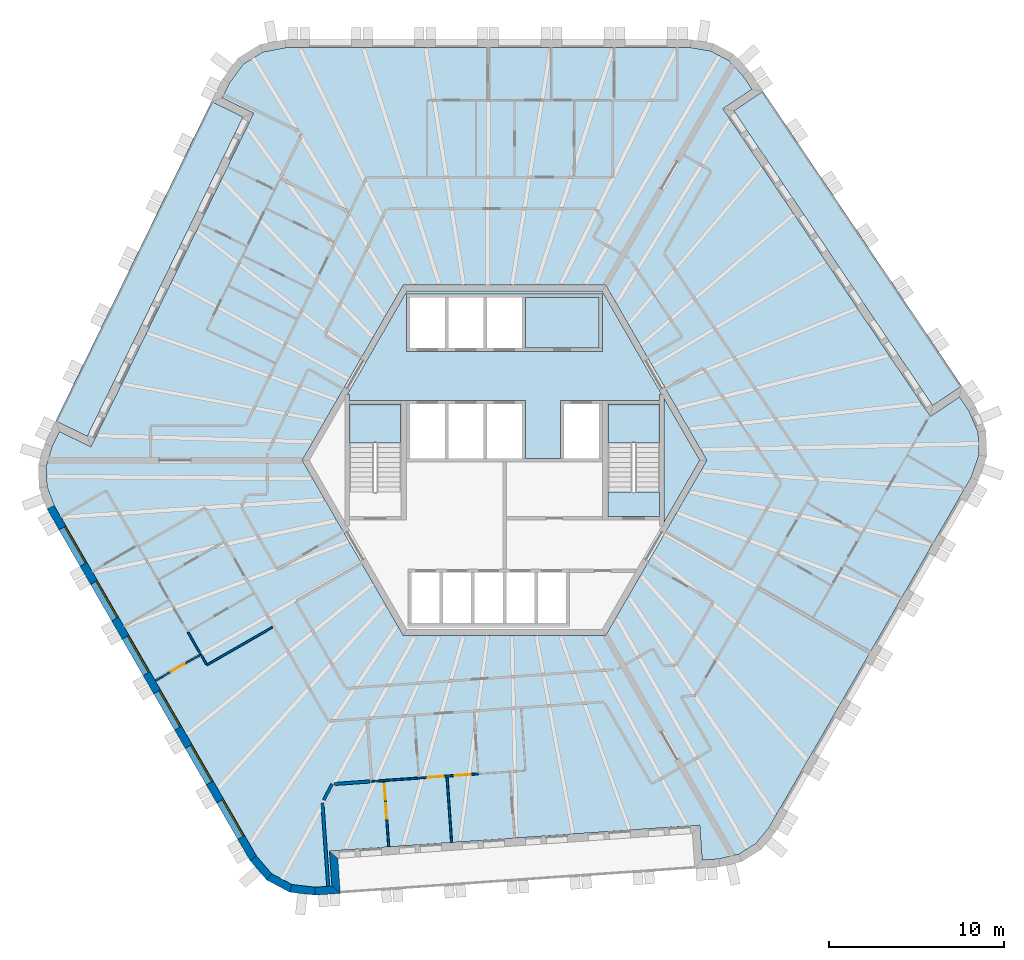
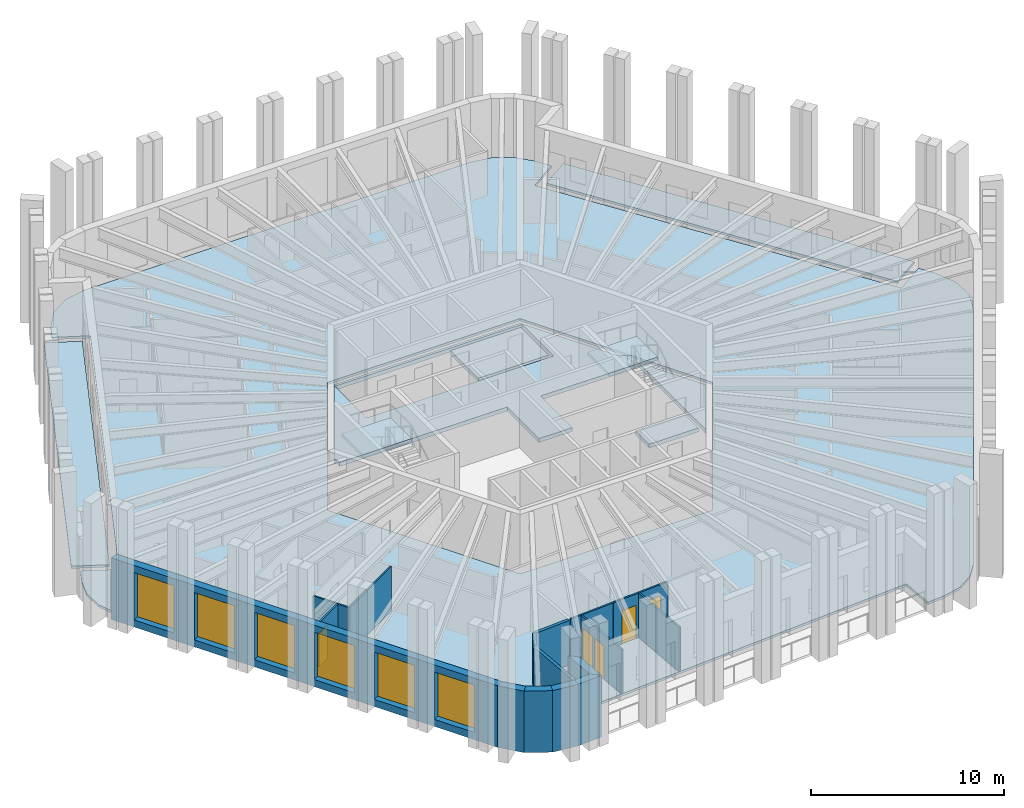
# One storey, part 2 of 12: 18 walls, 9 slabs, 6 windows, 5 doors, 11 openings, 2 elements without a shape of their own.
"""IFC4 building model written with IfcOpenShell, lengths in metres."""

from ifc_helpers import new_model, si_unit, direction, frame, frame_2d, origin, place, context, subcontext, project, spatial, polyline, rectangle, outline, extrude, material, layer, layer_set, type_object, element, fill, aggregate, save


model = new_model("IFC4")

# Units and contexts
model_context = context("Model", 3, precision=1e-05, world=origin(), true_north=direction((0.0, 1.0)))
body_context = subcontext(model_context, "Body", "Model", "MODEL_VIEW")
ifc_project = project(units=[si_unit("LENGTHUNIT", "METRE"), si_unit("AREAUNIT", "SQUARE_METRE"), si_unit("VOLUMEUNIT", "CUBIC_METRE"), si_unit("PLANEANGLEUNIT", "RADIAN"), si_unit("MASSUNIT", "GRAM", prefix="KILO")], contexts=[model_context])

# Site, building, storey
site_placement = place(None, origin())
site = spatial("IfcSite", under=ifc_project, at=site_placement, CompositionType="ELEMENT")
building_placement = place(site_placement, origin())
building = spatial("IfcBuilding", under=site, at=building_placement, Name="Tarnside Tower", CompositionType="ELEMENT")
storey_placement = place(building_placement, frame((0.0, 0.0, 361.199951171875)))
storey = spatial("IfcBuildingStorey", under=building, at=storey_placement, Name="L87", CompositionType="ELEMENT", Elevation=361.199951171875)

# Slabs
ifc_material_1 = material(Name="Concrete C35/45", Category="concrete")
ifc_layer_1 = layer(ifc_material_1, 0.14990234375)
ifc_layer_set_1 = layer_set([ifc_layer_1], Name="Composite floor slab 150")
slab_type_1 = type_object("IfcSlabType", Name="Composite floor slab 150", PredefinedType="FLOOR", material=ifc_layer_set_1)
slab_1_placement = place(storey_placement, frame((0.0, 0.0, -0.14990234375)))
element("IfcSlab", 1, at=slab_1_placement, inside=storey, type_object=slab_type_1, Name="Floor slab L87", PredefinedType="FLOOR", context=body_context, shape_type="SweptSolid", body=[
    extrude(outline(polyline([(11.769287109375, 23.3603515625), (12.785400390625, 22.8203125), (13.58740234375, 21.969970703125), (14.12255859375, 21.1767578125), (12.46435546875, 20.058349609375), (24.30908203125, 2.498046875), (25.967041015625, 3.616455078125), (26.50048828125, 2.82568359375), (27.02880859375, 1.6005859375), (27.07470703125, 0.288818359375), (26.633056640625, -0.97021484375), (15.0869140625, -20.968505859375), (14.345947265625, -21.872802734375), (13.370361328125, -22.482421875), (12.232666015625, -22.752197265625), (11.2783203125, -22.81884765625), (11.138916015625, -20.82373046875), (-9.9912109375, -22.30126953125), (-9.8515625, -24.29638671875), (-10.80322265625, -24.36279296875), (-12.12841796875, -24.2080078125), (-13.287353515625, -23.591796875), (-14.15673828125, -22.579833984375), (-25.702880859375, -2.581298828125), (-26.115478515625, -1.487548828125), (-26.155517578125, -0.337890625), (-25.8203125, 0.7822265625), (-25.40087890625, 1.64208984375), (-23.603271484375, 0.765380859375), (-14.31787109375, 19.80322265625), (-16.115478515625, 20.679931640625), (-15.697265625, 21.537353515625), (-14.900634765625, 22.607421875), (-13.787353515625, 23.302978515625), (-12.476318359375, 23.550048828125), (10.61572265625, 23.550048828125), (11.769287109375, 23.3603515625)]), holes=[polyline([(-11.547119140625, 0.0), (-5.7734375, -10.0), (5.7734375, -10.0), (11.547119140625, 0.0), (5.7734375, 10.0), (-5.7734375, 10.0), (-11.547119140625, 0.0)])]), origin(), (0.0, 0.0, 1.0), 0.14990234375),
])
ifc_material_2 = material(Name="Concrete C40/50", Category="concrete")
ifc_layer_2 = layer(ifc_material_2, 0.25)
ifc_layer_set_2 = layer_set([ifc_layer_2], Name="Core slab C40/50")
slab_type_2 = type_object("IfcSlabType", Name="Core slab C40/50", PredefinedType="FLOOR", material=ifc_layer_set_2)
slab_2_placement = place(storey_placement, frame((0.0, 0.0, -0.25)))
element("IfcSlab", 2, at=slab_2_placement, inside=storey, type_object=slab_type_2, Name="L87 core floor slab 1", PredefinedType="FLOOR", context=body_context, shape_type="SweptSolid", body=[
    extrude(outline(polyline([(5.5712890625, 9.64990234375), (8.97509765625, 3.7548828125), (8.85009765625, 3.7548828125), (8.85009765625, 3.39990234375), (5.89990234375, 3.39990234375), (5.60009765625, 3.39990234375), (3.39990234375, 3.39990234375), (3.199951171875, 3.39990234375), (3.199951171875, 0.10009765625), (1.199951171875, 0.10009765625), (1.199951171875, 3.39990234375), (1.0, 3.39990234375), (-5.60009765625, 3.39990234375), (-5.89990234375, 3.39990234375), (-8.85009765625, 3.39990234375), (-8.85009765625, 3.7548828125), (-8.97509765625, 3.7548828125), (-5.5712890625, 9.64990234375), (5.5712890625, 9.64990234375)]), holes=[polyline([(-5.60009765625, 6.199951171875), (5.60009765625, 6.199951171875), (5.60009765625, 6.39990234375), (5.60009765625, 9.300048828125), (5.60009765625, 9.5), (-5.60009765625, 9.5), (-5.60009765625, 9.300048828125), (-5.60009765625, 6.39990234375), (-5.60009765625, 6.199951171875)])]), origin(), (0.0, 0.0, 1.0), 0.25),
])
slab_3_placement = place(storey_placement, frame((0.0, 0.0, -0.25)))
element("IfcSlab", 3, at=slab_3_placement, inside=storey, type_object=slab_type_2, Name="L87 core floor slab 4", PredefinedType="FLOOR", context=body_context, shape_type="SweptSolid", body=[
    extrude(outline(polyline([(9.10009765625, 3.538330078125), (11.142822265625, 0.0), (9.10009765625, -3.538330078125), (9.10009765625, 3.538330078125)])), origin(), (0.0, 0.0, 1.0), 0.25),
])
slab_4_placement = place(storey_placement, frame((0.0, 0.0, -0.25)))
element("IfcSlab", 4, at=slab_4_placement, inside=storey, type_object=slab_type_2, Name="L87 core floor slab 6", PredefinedType="FLOOR", context=body_context, shape_type="SweptSolid", body=[
    extrude(outline(polyline([(5.89990234375, -1.800048828125), (8.85009765625, -1.800048828125), (8.85009765625, -3.199951171875), (5.89990234375, -3.199951171875), (5.89990234375, -1.800048828125)])), origin(), (0.0, 0.0, 1.0), 0.25),
])
slab_5_placement = place(storey_placement, frame((0.0, 0.0, -0.25)))
element("IfcSlab", 5, at=slab_5_placement, inside=storey, type_object=slab_type_2, Name="L87 core floor slab 7", PredefinedType="FLOOR", context=body_context, shape_type="SweptSolid", body=[
    extrude(outline(polyline([(5.39990234375, 6.39990234375), (1.199951171875, 6.39990234375), (1.199951171875, 9.300048828125), (5.39990234375, 9.300048828125), (5.39990234375, 6.39990234375)])), origin(), (0.0, 0.0, 1.0), 0.25),
])
ifc_material_3 = material(Name="Timber decking", Category="wood")
ifc_layer_3 = layer(ifc_material_3, 0.0400390625)
ifc_material_4 = material(Name="Concrete C60/75 precast", Category="concrete")
ifc_layer_4 = layer(ifc_material_4, 0.110107421875)
ifc_layer_set_3 = layer_set([ifc_layer_3, ifc_layer_4], Name="Loggia deck 150")
slab_type_3 = type_object("IfcSlabType", Name="Loggia deck 150", PredefinedType="FLOOR", material=ifc_layer_set_3)
slab_6_placement = place(storey_placement, frame((0.0, 0.0, -0.14990234375)))
element("IfcSlab", 6, at=slab_6_placement, inside=storey, type_object=slab_type_3, Name="Loggia deck L87 F2", PredefinedType="FLOOR", context=body_context, shape_type="SweptSolid", body=[
    extrude(outline(polyline([(-14.919677734375, 19.595947265625), (-23.810546875, 1.366943359375), (-25.608154296875, 2.24365234375), (-16.71728515625, 20.47265625), (-14.919677734375, 19.595947265625)])), origin(), (0.0, 0.0, 1.0), 0.14990234375),
])
slab_7_placement = place(storey_placement, frame((0.0, 0.0, -0.14990234375)))
element("IfcSlab", 7, at=slab_7_placement, inside=storey, type_object=slab_type_3, Name="Loggia deck L87 F6", PredefinedType="FLOOR", context=body_context, shape_type="SweptSolid", body=[
    extrude(outline(polyline([(24.430419921875, 3.122802734375), (13.089111328125, 19.93701171875), (14.7470703125, 21.055419921875), (26.088623046875, 4.2412109375), (24.430419921875, 3.122802734375)])), origin(), (0.0, 0.0, 1.0), 0.14990234375),
])

# Stair, slab
stair_type = type_object("IfcStairType", Name="Exit stair 1400 clear", PredefinedType="HALF_TURN_STAIR", material=ifc_material_2)
stair_1_placement = place(storey_placement, origin())
stair_1 = element("IfcStair", 8, at=stair_1_placement, inside=storey, type_object=stair_type, Name="L87 Exit stair 1", PredefinedType="HALF_TURN_STAIR")
ifc_layer_5 = layer(ifc_material_2, 0.199951171875)
ifc_layer_set_4 = layer_set([ifc_layer_5], Name="Stair landing 200 C40/50")
slab_type_4 = type_object("IfcSlabType", Name="Stair landing 200 C40/50", PredefinedType="LANDING", material=ifc_layer_set_4)
slab_8_placement = place(storey_placement, frame((0.0, 0.0, 1.75)))
slab_8 = element("IfcSlab", 9, at=slab_8_placement, type_object=slab_type_4, Name="ST1 landing 1", PredefinedType="LANDING", context=body_context, shape_type="SweptSolid", body=[
    extrude(outline(polyline([(8.85009765625, 1.0), (8.85009765625, 3.199951171875), (5.89990234375, 3.199951171875), (5.89990234375, 1.0), (8.85009765625, 1.0)])), origin(), (0.0, 0.0, 1.0), 0.199951171875),
])
aggregate(stair_1, [slab_8])

stair_2_placement = place(storey_placement, origin())
stair_2 = element("IfcStair", 10, at=stair_2_placement, inside=storey, type_object=stair_type, Name="L87 Exit stair 2", PredefinedType="HALF_TURN_STAIR")
slab_9_placement = place(storey_placement, frame((0.0, 0.0, 1.75)))
slab_9 = element("IfcSlab", 11, at=slab_9_placement, type_object=slab_type_4, Name="ST2 landing 1", PredefinedType="LANDING", context=body_context, shape_type="SweptSolid", body=[
    extrude(outline(polyline([(-5.89990234375, 1.0), (-5.89990234375, 3.199951171875), (-8.85009765625, 3.199951171875), (-8.85009765625, 1.0), (-5.89990234375, 1.0)])), origin(), (0.0, 0.0, 1.0), 0.199951171875),
])
aggregate(stair_2, [slab_9])

# Walls
ifc_material_5 = material(Name="Gypsum board partition on steel studs", Category="steel")
ifc_layer_6 = layer(ifc_material_5, 0.10009765625)
ifc_layer_set_5 = layer_set([ifc_layer_6], Name="Bathroom wall 100")
wall_type_1 = type_object("IfcWallType", Name="Bathroom wall 100", PredefinedType="PARTITIONING", material=ifc_layer_set_5)
wall_1_placement = place(storey_placement, frame((-13.238525390625, -9.52001953125, 0.0), z_axis=(0.0, 0.0, 1.0), x_axis=(-0.866018262327, -0.500012369163, 0.0)))
element("IfcWall", 12, at=wall_1_placement, inside=storey, type_object=wall_type_1, Name="Bathroom wall 28101", PredefinedType="PARTITIONING", context=body_context, shape_type="SweptSolid", body=[
    extrude(rectangle(XDim=4.3251953125, YDim=0.10009765625, at=frame_2d((2.16259765625, 0.0))), origin(), (0.0, 0.0, 1.0), 2.820068359375),
])
wall_2_placement = place(storey_placement, frame((-17.00927734375, -11.63916015625, 0.0), z_axis=(0.0, 0.0, 1.0), x_axis=(-0.499962526042, 0.866047038303, 0.0)))
element("IfcWall", 13, at=wall_2_placement, inside=storey, type_object=wall_type_1, Name="Bathroom wall 28102", PredefinedType="PARTITIONING", context=body_context, shape_type="SweptSolid", body=[
    extrude(rectangle(XDim=0.6455078125, YDim=0.10009765625, at=frame_2d((0.32275390625, 0.0))), origin(), (0.0, 0.0, 1.0), 2.820068359375),
])
wall_3_placement = place(storey_placement, frame((-17.330078125, -11.08349609375, 0.0), z_axis=(0.0, 0.0, 1.0), x_axis=(-0.499920521767, 0.866071285701, 0.0)))
element("IfcWall", 14, at=wall_3_placement, inside=storey, type_object=wall_type_1, Name="Bathroom wall 28114", PredefinedType="PARTITIONING", context=body_context, shape_type="SweptSolid", body=[
    extrude(rectangle(XDim=1.458251953125, YDim=0.10009765625, at=frame_2d((0.72900390625, 0.0))), origin(), (0.0, 0.0, 1.0), 2.820068359375),
])
wall_4_placement = place(storey_placement, frame((-7.584228515625, -18.32373046875, 0.0), z_axis=(0.0, 0.0, 1.0), x_axis=(0.997553473746, 0.06990756051, 0.0)))
element("IfcWall", 15, at=wall_4_placement, inside=storey, type_object=wall_type_1, Name="Bathroom wall 28122", PredefinedType="PARTITIONING", context=body_context, shape_type="SweptSolid", body=[
    extrude(rectangle(XDim=0.71240234375, YDim=0.10009765625, at=frame_2d((0.356201171875, 0.0))), origin(), (0.0, 0.0, 1.0), 2.820068359375),
])
wall_5_placement = place(storey_placement, frame((-6.87353515625, -18.27392578125, 0.0), z_axis=(0.0, 0.0, 1.0), x_axis=(0.997562294187, 0.069781582212, 0.0)))
element("IfcWall", 16, at=wall_5_placement, inside=storey, type_object=wall_type_1, Name="Bathroom wall 28123", PredefinedType="PARTITIONING", context=body_context, shape_type="SweptSolid", body=[
    extrude(rectangle(XDim=1.941650390625, YDim=0.10009765625, at=frame_2d((0.970703125, 0.0))), origin(), (0.0, 0.0, 1.0), 2.820068359375),
])
ifc_layer_7 = layer(ifc_material_5, 0.179931640625)
ifc_layer_set_6 = layer_set([ifc_layer_7], Name="Demising wall 180 EI 60")
wall_type_2 = type_object("IfcWallType", Name="Demising wall 180 EI 60", PredefinedType="PARTITIONING", material=ifc_layer_set_6)
wall_6_placement = place(storey_placement, frame((-10.060302734375, -24.31103515625, 0.0), z_axis=(0.0, 0.0, 1.0), x_axis=(-0.069731958306, 0.997565764244, 0.0)))
element("IfcWall", 17, at=wall_6_placement, inside=storey, type_object=wall_type_2, Name="Demising wall 28104", PredefinedType="PARTITIONING", context=body_context, shape_type="SweptSolid", body=[
    extrude(rectangle(XDim=4.775634765625, YDim=0.179931640625, at=frame_2d((2.3876953125, 0.0))), origin(), (0.0, 0.0, 1.0), 2.820068359375),
])
wall_7_placement = place(storey_placement, frame((-10.313720703125, -19.397216796875, 0.0), z_axis=(0.0, 0.0, 1.0), x_axis=(0.469550580753, 0.882905573725, 0.0)))
element("IfcWall", 18, at=wall_7_placement, inside=storey, type_object=wall_type_2, Name="Demising wall 28105", PredefinedType="PARTITIONING", context=body_context, shape_type="SweptSolid", body=[
    extrude(rectangle(XDim=1.038330078125, YDim=0.179931640625, at=frame_2d((0.51904296875, 0.0))), origin(), (0.0, 0.0, 1.0), 2.820068359375),
])
wall_8_placement = place(storey_placement, frame((-9.720458984375, -18.47314453125, 0.0), z_axis=(0.0, 0.0, 1.0), x_axis=(0.997561859931, 0.069787789844, 0.0)))
element("IfcWall", 19, at=wall_8_placement, inside=storey, type_object=wall_type_2, Name="Demising wall 28106", PredefinedType="PARTITIONING", context=body_context, shape_type="SweptSolid", body=[
    extrude(rectangle(XDim=2.05712890625, YDim=0.179931640625, at=frame_2d((1.028564453125, 0.0))), origin(), (0.0, 0.0, 1.0), 2.820068359375),
])
ifc_material_6 = material(Name="Dark zinc cladding")
ifc_layer_8 = layer(ifc_material_6, 0.10205078125)
ifc_layer_9 = layer(ifc_material_4, 0.248046875)
ifc_material_7 = material(Name="Mineral wool insulation")
ifc_layer_10 = layer(ifc_material_7, 0.10009765625)
ifc_layer_set_7 = layer_set([ifc_layer_8, ifc_layer_9, ifc_layer_10], Name="Loggia wall 450 zinc faced")
wall_type_3 = type_object("IfcWallType", Name="Loggia wall 450 zinc faced", PredefinedType="SOLIDWALL", material=ifc_layer_set_7)
wall_9_placement = place(storey_placement, frame((-10.80859375, -24.5888671875, -0.14990234375), z_axis=(0.0, 0.0, 1.0), x_axis=(0.997562933087, 0.069772448216, 0.0)))
element("IfcWall", 20, at=wall_9_placement, inside=storey, type_object=wall_type_3, Name="Tube wall L87 F4 stub 16", PredefinedType="SOLIDWALL", context=body_context, shape_type="SweptSolid", body=[
    extrude(outline(polyline([(-0.02099609375, -0.22509765625), (1.42529296875, -0.22509765625), (0.97509765625, 0.22509765625), (0.02099609375, 0.22509765625), (-0.02099609375, -0.22509765625)])), origin(), (0.0, 0.0, 1.0), 3.89990234375),
])
wall_10_placement = place(storey_placement, frame((-9.611328125, -24.505126953125, -0.14990234375), z_axis=(0.0, 0.0, 1.0), x_axis=(-0.069824268692, 0.99755930726, 0.0)))
element("IfcWall", 21, at=wall_10_placement, inside=storey, type_object=wall_type_3, Name="Tube wall L87 F4 return 17", PredefinedType="SOLIDWALL", context=body_context, shape_type="SweptSolid", body=[
    extrude(outline(polyline([(-0.224853515625, -0.22509765625), (1.77490234375, -0.22509765625), (2.22509765625, 0.22509765625), (0.224853515625, 0.22509765625), (-0.224853515625, -0.22509765625)])), origin(), (0.0, 0.0, 1.0), 3.89990234375),
])

# Wall, opening, door
ifc_layer_11 = layer(ifc_material_5, 0.10009765625)
ifc_layer_set_8 = layer_set([ifc_layer_11], Name="Partition 100")
wall_type_4 = type_object("IfcWallType", Name="Partition 100", PredefinedType="PARTITIONING", material=ifc_layer_set_8)
wall_11_placement = place(storey_placement, frame((-17.374267578125, -11.106689453125, 0.0), z_axis=(0.0, 0.0, 1.0), x_axis=(-0.866024349092, -0.500001826776, 0.0)))
wall_11 = element("IfcWall", 22, at=wall_11_placement, inside=storey, type_object=wall_type_4, Name="Partition wall 28100", PredefinedType="PARTITIONING", context=body_context, shape_type="SweptSolid", body=[
    extrude(rectangle(XDim=2.9501953125, YDim=0.10009765625, at=frame_2d((1.47509765625, 0.0))), origin(), (0.0, 0.0, 1.0), 2.820068359375),
])
opening_1_placement = place(wall_11_placement, frame((1.02490234375, 0.0, 0.0)))
opening_1 = element("IfcOpeningElement", 23, at=opening_1_placement, cuts=wall_11, Name="Opening D-I1", PredefinedType="OPENING", context=body_context, shape_type="SweptSolid", body=[
    extrude(rectangle(XDim=0.89990234375, YDim=2.10009765625, at=frame_2d((0.449951171875, 1.050048828125))), frame((0.0, 0.06005859375, 0.0), z_axis=(0.0, -1.0, 0.0), x_axis=(1.0, 0.0, 0.0)), (0.0, 0.0, 1.0), 0.1201171875),
])
ifc_material_8 = material(Name="Timber door leaf", Category="wood")
door_type = type_object("IfcDoorType", Name="Internal door 900", OperationType="NOTDEFINED", PredefinedType="DOOR", material=ifc_material_8)
door_1_placement = place(opening_1_placement, origin())
door_1 = element("IfcDoor", 24, at=door_1_placement, inside=storey, type_object=door_type, Name="Internal door 28062", OperationType="SINGLE_SWING_LEFT", OverallHeight=2.10009765625, OverallWidth=0.89990234375, PredefinedType="DOOR", context=body_context, shape_type="SweptSolid", body=[
    extrude(rectangle(XDim=0.89990234375, YDim=2.10009765625, at=frame_2d((0.449951171875, 1.050048828125))), frame((0.0, 0.02490234375, 0.0), z_axis=(0.0, -1.0, 0.0), x_axis=(1.0, 0.0, 0.0)), (0.0, 0.0, 1.0), 0.050048828125),
])
fill(opening_1, door_1)

# Wall, openings, doors
wall_12_placement = place(storey_placement, frame((-4.890869140625, -18.13525390625, 0.0), z_axis=(0.0, 0.0, 1.0), x_axis=(0.997567103819, 0.069712792071, 0.0)))
wall_12 = element("IfcWall", 25, at=wall_12_placement, inside=storey, type_object=wall_type_4, Name="Partition wall 28119", PredefinedType="PARTITIONING", context=body_context, shape_type="SweptSolid", body=[
    extrude(rectangle(XDim=3.404052734375, YDim=0.10009765625, at=frame_2d((1.7021484375, 0.0))), origin(), (0.0, 0.0, 1.0), 2.820068359375),
])
opening_2_placement = place(wall_12_placement, frame((0.51220703125, 0.0, 0.0)))
opening_2 = element("IfcOpeningElement", 26, at=opening_2_placement, cuts=wall_12, Name="Opening D-I1", PredefinedType="OPENING", context=body_context, shape_type="SweptSolid", body=[
    extrude(rectangle(XDim=0.89990234375, YDim=2.10009765625, at=frame_2d((0.449951171875, 1.050048828125))), frame((0.0, 0.06005859375, 0.0), z_axis=(0.0, -1.0, 0.0), x_axis=(1.0, 0.0, 0.0)), (0.0, 0.0, 1.0), 0.1201171875),
])
opening_3_placement = place(wall_12_placement, frame((2.05712890625, 0.0, 0.0)))
opening_3 = element("IfcOpeningElement", 27, at=opening_3_placement, cuts=wall_12, Name="Opening D-I1", PredefinedType="OPENING", context=body_context, shape_type="SweptSolid", body=[
    extrude(rectangle(XDim=0.89990234375, YDim=2.10009765625, at=frame_2d((0.449951171875, 1.050048828125))), frame((0.0, 0.06005859375, 0.0), z_axis=(0.0, -1.0, 0.0), x_axis=(1.0, 0.0, 0.0)), (0.0, 0.0, 1.0), 0.1201171875),
])
door_2_placement = place(opening_2_placement, origin())
door_2 = element("IfcDoor", 28, at=door_2_placement, inside=storey, type_object=door_type, Name="Internal door 28043", OperationType="SINGLE_SWING_LEFT", OverallHeight=2.10009765625, OverallWidth=0.89990234375, PredefinedType="DOOR", context=body_context, shape_type="SweptSolid", body=[
    extrude(rectangle(XDim=0.89990234375, YDim=2.10009765625, at=frame_2d((0.449951171875, 1.050048828125))), frame((0.0, 0.02490234375, 0.0), z_axis=(0.0, -1.0, 0.0), x_axis=(1.0, 0.0, 0.0)), (0.0, 0.0, 1.0), 0.050048828125),
])
fill(opening_2, door_2)
door_3_placement = place(opening_3_placement, origin())
door_3 = element("IfcDoor", 29, at=door_3_placement, inside=storey, type_object=door_type, Name="Internal door 28050", OperationType="SINGLE_SWING_LEFT", OverallHeight=2.10009765625, OverallWidth=0.89990234375, PredefinedType="DOOR", context=body_context, shape_type="SweptSolid", body=[
    extrude(rectangle(XDim=0.89990234375, YDim=2.10009765625, at=frame_2d((0.449951171875, 1.050048828125))), frame((0.0, 0.02490234375, 0.0), z_axis=(0.0, -1.0, 0.0), x_axis=(1.0, 0.0, 0.0)), (0.0, 0.0, 1.0), 0.050048828125),
])
fill(opening_3, door_3)

wall_13_placement = place(storey_placement, frame((-6.608642578125, -22.064697265625, 0.0), z_axis=(0.0, 0.0, 1.0), x_axis=(-0.069729351823, 0.997565946439, 0.0)))
wall_13 = element("IfcWall", 30, at=wall_13_placement, inside=storey, type_object=wall_type_4, Name="Partition wall 28124", PredefinedType="PARTITIONING", context=body_context, shape_type="SweptSolid", body=[
    extrude(rectangle(XDim=3.749755859375, YDim=0.10009765625, at=frame_2d((1.875, 0.0))), origin(), (0.0, 0.0, 1.0), 2.820068359375),
])
opening_4_placement = place(wall_13_placement, frame((2.699951171875, 0.0, 0.0)))
opening_4 = element("IfcOpeningElement", 31, at=opening_4_placement, cuts=wall_13, Name="Opening D-I1", PredefinedType="OPENING", context=body_context, shape_type="SweptSolid", body=[
    extrude(rectangle(XDim=0.89990234375, YDim=2.10009765625, at=frame_2d((0.449951171875, 1.050048828125))), frame((0.0, 0.06005859375, 0.0), z_axis=(0.0, -1.0, 0.0), x_axis=(1.0, 0.0, 0.0)), (0.0, 0.0, 1.0), 0.1201171875),
])
opening_5_placement = place(wall_13_placement, frame((1.60009765625, 0.0, 0.0)))
opening_5 = element("IfcOpeningElement", 32, at=opening_5_placement, cuts=wall_13, Name="Opening D-I1", PredefinedType="OPENING", context=body_context, shape_type="SweptSolid", body=[
    extrude(rectangle(XDim=0.89990234375, YDim=2.10009765625, at=frame_2d((0.449951171875, 1.050048828125))), frame((0.0, 0.06005859375, 0.0), z_axis=(0.0, -1.0, 0.0), x_axis=(1.0, 0.0, 0.0)), (0.0, 0.0, 1.0), 0.1201171875),
])
door_4_placement = place(opening_4_placement, origin())
door_4 = element("IfcDoor", 33, at=door_4_placement, inside=storey, type_object=door_type, Name="Internal door 28046", OperationType="SINGLE_SWING_RIGHT", OverallHeight=2.10009765625, OverallWidth=0.89990234375, PredefinedType="DOOR", context=body_context, shape_type="SweptSolid", body=[
    extrude(rectangle(XDim=0.89990234375, YDim=2.10009765625, at=frame_2d((0.449951171875, 1.050048828125))), frame((0.0, 0.02490234375, 0.0), z_axis=(0.0, -1.0, 0.0), x_axis=(1.0, 0.0, 0.0)), (0.0, 0.0, 1.0), 0.050048828125),
])
fill(opening_4, door_4)
door_5_placement = place(opening_5_placement, origin())
door_5 = element("IfcDoor", 34, at=door_5_placement, inside=storey, type_object=door_type, Name="Internal door 28049", OperationType="SINGLE_SWING_LEFT", OverallHeight=2.10009765625, OverallWidth=0.89990234375, PredefinedType="DOOR", context=body_context, shape_type="SweptSolid", body=[
    extrude(rectangle(XDim=0.89990234375, YDim=2.10009765625, at=frame_2d((0.449951171875, 1.050048828125))), frame((0.0, 0.02490234375, 0.0), z_axis=(0.0, -1.0, 0.0), x_axis=(1.0, 0.0, 0.0)), (0.0, 0.0, 1.0), 0.050048828125),
])
fill(opening_5, door_5)

# Wall
wall_14_placement = place(storey_placement, frame((-3.017333984375, -21.813720703125, 0.0), z_axis=(0.0, 0.0, 1.0), x_axis=(-0.069724823314, 0.997566262969, 0.0)))
element("IfcWall", 35, at=wall_14_placement, inside=storey, type_object=wall_type_4, Name="Partition wall 28125", PredefinedType="PARTITIONING", context=body_context, shape_type="SweptSolid", body=[
    extrude(rectangle(XDim=3.75, YDim=0.10009765625, at=frame_2d((1.875, 0.0))), origin(), (0.0, 0.0, 1.0), 2.820068359375),
])

# Wall, openings, windows
ifc_material_9 = material(Name="Facing brick", Category="masonry")
ifc_layer_12 = layer(ifc_material_9, 0.10205078125)
ifc_layer_13 = layer(ifc_material_4, 0.248046875)
ifc_layer_14 = layer(ifc_material_7, 0.10009765625)
ifc_layer_set_9 = layer_set([ifc_layer_12, ifc_layer_13, ifc_layer_14], Name="Tube wall 450 brick faced")
wall_type_5 = type_object("IfcWallType", Name="Tube wall 450 brick faced", PredefinedType="SOLIDWALL", material=ifc_layer_set_9)
wall_15_placement = place(storey_placement, frame((-25.90673828125, -2.677978515625, -0.14990234375), z_axis=(0.0, 0.0, 1.0), x_axis=(0.499997453958, -0.866026873738, 0.0)))
wall_15 = element("IfcWall", 36, at=wall_15_placement, inside=storey, type_object=wall_type_5, Name="Tube wall L87 F3 flush 12", PredefinedType="SOLIDWALL", context=body_context, shape_type="SweptSolid", body=[
    extrude(outline(polyline([(-0.018310546875, -0.22509765625), (23.15234375, -0.22509765625), (23.1103515625, 0.22509765625), (0.018310546875, 0.22509765625), (-0.018310546875, -0.22509765625)])), origin(), (0.0, 0.0, 1.0), 3.89990234375),
])
opening_6_placement = place(wall_15_placement, frame((1.36572265625, 0.0, 0.449951171875)))
opening_6 = element("IfcOpeningElement", 37, at=opening_6_placement, cuts=wall_15, Name="Opening WP", PredefinedType="OPENING", context=body_context, shape_type="SweptSolid", body=[
    extrude(rectangle(XDim=2.39990234375, YDim=3.0, at=frame_2d((1.199951171875, 1.5))), frame((0.0, 0.23486328125, 0.0), z_axis=(0.0, -1.0, 0.0), x_axis=(1.0, 0.0, 0.0)), (0.0, 0.0, 1.0), 0.469970703125),
])
opening_7_placement = place(wall_15_placement, frame((4.9658203125, 0.0, 0.449951171875)))
opening_7 = element("IfcOpeningElement", 38, at=opening_7_placement, cuts=wall_15, Name="Opening WP", PredefinedType="OPENING", context=body_context, shape_type="SweptSolid", body=[
    extrude(rectangle(XDim=2.39990234375, YDim=3.0, at=frame_2d((1.199951171875, 1.5))), frame((0.0, 0.23486328125, 0.0), z_axis=(0.0, -1.0, 0.0), x_axis=(1.0, 0.0, 0.0)), (0.0, 0.0, 1.0), 0.469970703125),
])
opening_8_placement = place(wall_15_placement, frame((8.56591796875, 0.0, 0.449951171875)))
opening_8 = element("IfcOpeningElement", 39, at=opening_8_placement, cuts=wall_15, Name="Opening WP", PredefinedType="OPENING", context=body_context, shape_type="SweptSolid", body=[
    extrude(rectangle(XDim=2.39990234375, YDim=3.0, at=frame_2d((1.199951171875, 1.5))), frame((0.0, 0.23486328125, 0.0), z_axis=(0.0, -1.0, 0.0), x_axis=(1.0, 0.0, 0.0)), (0.0, 0.0, 1.0), 0.469970703125),
])
opening_9_placement = place(wall_15_placement, frame((12.165771484375, 0.0, 0.449951171875)))
opening_9 = element("IfcOpeningElement", 40, at=opening_9_placement, cuts=wall_15, Name="Opening WP", PredefinedType="OPENING", context=body_context, shape_type="SweptSolid", body=[
    extrude(rectangle(XDim=2.39990234375, YDim=3.0, at=frame_2d((1.199951171875, 1.5))), frame((0.0, 0.23486328125, 0.0), z_axis=(0.0, -1.0, 0.0), x_axis=(1.0, 0.0, 0.0)), (0.0, 0.0, 1.0), 0.469970703125),
])
opening_10_placement = place(wall_15_placement, frame((15.765869140625, 0.0, 0.449951171875)))
opening_10 = element("IfcOpeningElement", 41, at=opening_10_placement, cuts=wall_15, Name="Opening WP", PredefinedType="OPENING", context=body_context, shape_type="SweptSolid", body=[
    extrude(rectangle(XDim=2.39990234375, YDim=3.0, at=frame_2d((1.199951171875, 1.5))), frame((0.0, 0.23486328125, 0.0), z_axis=(0.0, -1.0, 0.0), x_axis=(1.0, 0.0, 0.0)), (0.0, 0.0, 1.0), 0.469970703125),
])
opening_11_placement = place(wall_15_placement, frame((19.36572265625, 0.0, 0.449951171875)))
opening_11 = element("IfcOpeningElement", 42, at=opening_11_placement, cuts=wall_15, Name="Opening WP", PredefinedType="OPENING", context=body_context, shape_type="SweptSolid", body=[
    extrude(rectangle(XDim=2.39990234375, YDim=3.0, at=frame_2d((1.199951171875, 1.5))), frame((0.0, 0.23486328125, 0.0), z_axis=(0.0, -1.0, 0.0), x_axis=(1.0, 0.0, 0.0)), (0.0, 0.0, 1.0), 0.469970703125),
])
ifc_material_10 = material(Name="Aluminium-framed double glazing", Category="aluminium")
window_type = type_object("IfcWindowType", Name="Penthouse window 2400 x 3000", PartitioningType="DOUBLE_PANEL_VERTICAL", PredefinedType="WINDOW", material=ifc_material_10)
window_1_placement = place(opening_6_placement, frame((0.0, 0.1552734375, 0.0)))
window_1 = element("IfcWindow", 43, at=window_1_placement, inside=storey, type_object=window_type, Name="E.WN.L87.F3.00", OverallHeight=3.0, OverallWidth=2.39990234375, PartitioningType="DOUBLE_PANEL_VERTICAL", PredefinedType="WINDOW", context=body_context, shape_type="SweptSolid", body=[
    extrude(rectangle(XDim=2.39990234375, YDim=3.0, at=frame_2d((1.199951171875, 1.5))), frame((0.0, 0.030029296875, 0.0), z_axis=(0.0, -1.0, 0.0), x_axis=(1.0, 0.0, 0.0)), (0.0, 0.0, 1.0), 0.06005859375),
])
fill(opening_6, window_1)
window_2_placement = place(opening_7_placement, frame((0.0, 0.1552734375, 0.0)))
window_2 = element("IfcWindow", 44, at=window_2_placement, inside=storey, type_object=window_type, Name="E.WN.L87.F3.01", OverallHeight=3.0, OverallWidth=2.39990234375, PartitioningType="DOUBLE_PANEL_VERTICAL", PredefinedType="WINDOW", context=body_context, shape_type="SweptSolid", body=[
    extrude(rectangle(XDim=2.39990234375, YDim=3.0, at=frame_2d((1.199951171875, 1.5))), frame((0.0, 0.030029296875, 0.0), z_axis=(0.0, -1.0, 0.0), x_axis=(1.0, 0.0, 0.0)), (0.0, 0.0, 1.0), 0.06005859375),
])
fill(opening_7, window_2)
window_3_placement = place(opening_8_placement, frame((0.0, 0.1552734375, 0.0)))
window_3 = element("IfcWindow", 45, at=window_3_placement, inside=storey, type_object=window_type, Name="E.WN.L87.F3.02", OverallHeight=3.0, OverallWidth=2.39990234375, PartitioningType="DOUBLE_PANEL_VERTICAL", PredefinedType="WINDOW", context=body_context, shape_type="SweptSolid", body=[
    extrude(rectangle(XDim=2.39990234375, YDim=3.0, at=frame_2d((1.199951171875, 1.5))), frame((0.0, 0.030029296875, 0.0), z_axis=(0.0, -1.0, 0.0), x_axis=(1.0, 0.0, 0.0)), (0.0, 0.0, 1.0), 0.06005859375),
])
fill(opening_8, window_3)
window_4_placement = place(opening_9_placement, frame((0.0, 0.1552734375, 0.0)))
window_4 = element("IfcWindow", 46, at=window_4_placement, inside=storey, type_object=window_type, Name="E.WN.L87.F3.03", OverallHeight=3.0, OverallWidth=2.39990234375, PartitioningType="DOUBLE_PANEL_VERTICAL", PredefinedType="WINDOW", context=body_context, shape_type="SweptSolid", body=[
    extrude(rectangle(XDim=2.39990234375, YDim=3.0, at=frame_2d((1.199951171875, 1.5))), frame((0.0, 0.030029296875, 0.0), z_axis=(0.0, -1.0, 0.0), x_axis=(1.0, 0.0, 0.0)), (0.0, 0.0, 1.0), 0.06005859375),
])
fill(opening_9, window_4)
window_5_placement = place(opening_10_placement, frame((0.0, 0.1552734375, 0.0)))
window_5 = element("IfcWindow", 47, at=window_5_placement, inside=storey, type_object=window_type, Name="E.WN.L87.F3.04", OverallHeight=3.0, OverallWidth=2.39990234375, PartitioningType="DOUBLE_PANEL_VERTICAL", PredefinedType="WINDOW", context=body_context, shape_type="SweptSolid", body=[
    extrude(rectangle(XDim=2.39990234375, YDim=3.0, at=frame_2d((1.199951171875, 1.5))), frame((0.0, 0.030029296875, 0.0), z_axis=(0.0, -1.0, 0.0), x_axis=(1.0, 0.0, 0.0)), (0.0, 0.0, 1.0), 0.06005859375),
])
fill(opening_10, window_5)
window_6_placement = place(opening_11_placement, frame((0.0, 0.1552734375, 0.0)))
window_6 = element("IfcWindow", 48, at=window_6_placement, inside=storey, type_object=window_type, Name="E.WN.L87.F3.05", OverallHeight=3.0, OverallWidth=2.39990234375, PartitioningType="DOUBLE_PANEL_VERTICAL", PredefinedType="WINDOW", context=body_context, shape_type="SweptSolid", body=[
    extrude(rectangle(XDim=2.39990234375, YDim=3.0, at=frame_2d((1.199951171875, 1.5))), frame((0.0, 0.030029296875, 0.0), z_axis=(0.0, -1.0, 0.0), x_axis=(1.0, 0.0, 0.0)), (0.0, 0.0, 1.0), 0.06005859375),
])
fill(opening_11, window_6)

# Walls
wall_16_placement = place(storey_placement, frame((-14.341064453125, -22.71044921875, -0.14990234375), z_axis=(0.0, 0.0, 1.0), x_axis=(0.651625422694, -0.758540907597, 0.0)))
element("IfcWall", 49, at=wall_16_placement, inside=storey, type_object=wall_type_5, Name="Tube wall L87 F3 chord 13", PredefinedType="SOLIDWALL", context=body_context, shape_type="SweptSolid", body=[
    extrude(outline(polyline([(-0.02099609375, -0.22509765625), (1.43994140625, -0.22509765625), (1.35498046875, 0.22509765625), (0.02099609375, 0.22509765625), (-0.02099609375, -0.22509765625)])), origin(), (0.0, 0.0, 1.0), 3.89990234375),
])
wall_17_placement = place(storey_placement, frame((-13.430419921875, -23.7705078125, -0.14990234375), z_axis=(0.0, 0.0, 1.0), x_axis=(0.882966382564, -0.469436222784, 0.0)))
element("IfcWall", 50, at=wall_17_placement, inside=storey, type_object=wall_type_5, Name="Tube wall L87 F3 chord 14", PredefinedType="SOLIDWALL", context=body_context, shape_type="SweptSolid", body=[
    extrude(outline(polyline([(-0.04248046875, -0.22509765625), (1.43994140625, -0.22509765625), (1.35498046875, 0.22509765625), (0.04248046875, 0.22509765625), (-0.04248046875, -0.22509765625)])), origin(), (0.0, 0.0, 1.0), 3.89990234375),
])
wall_18_placement = place(storey_placement, frame((-12.196533203125, -24.426513671875, -0.14990234375), z_axis=(0.0, 0.0, 1.0), x_axis=(0.993227902261, -0.116182331575, 0.0)))
element("IfcWall", 51, at=wall_18_placement, inside=storey, type_object=wall_type_5, Name="Tube wall L87 F3 chord 15", PredefinedType="SOLIDWALL", context=body_context, shape_type="SweptSolid", body=[
    extrude(outline(polyline([(-0.04248046875, -0.22509765625), (1.41845703125, -0.22509765625), (1.37646484375, 0.22509765625), (0.04248046875, 0.22509765625), (-0.04248046875, -0.22509765625)])), origin(), (0.0, 0.0, 1.0), 3.89990234375),
])

save(model, "model.ifc")
